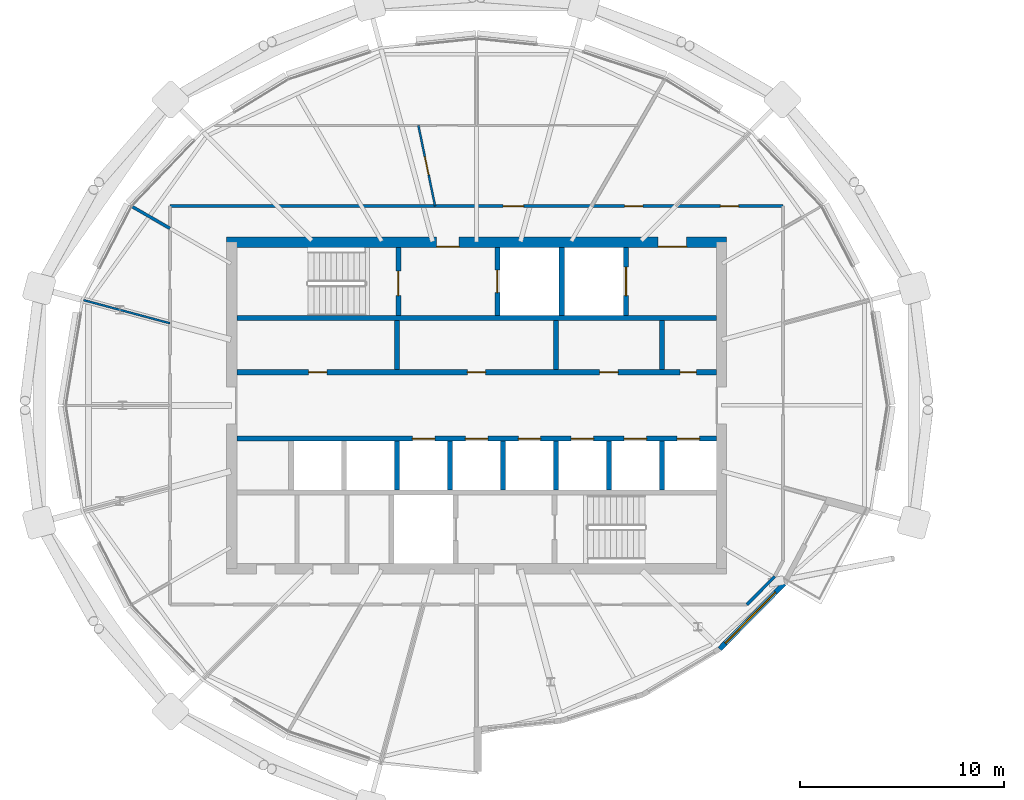
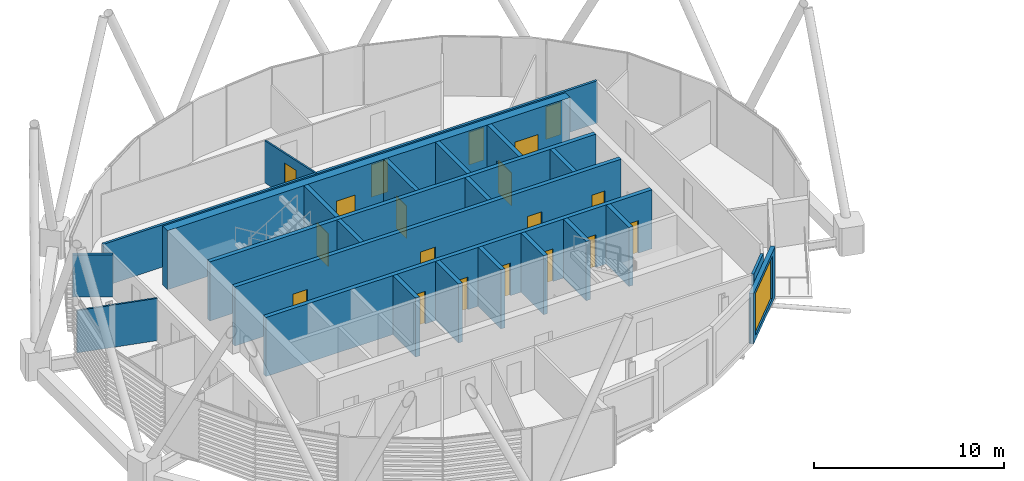
# One storey, part 19 of 31: 23 walls, 19 doors, 1 window, 20 openings.
"""IFC4 building model written with IfcOpenShell, lengths in metres."""

from ifc_helpers import new_model, si_unit, direction, frame, frame_2d, origin, place, context, subcontext, project, spatial, rectangle, extrude, material, layer, layer_set, type_object, element, fill, save


model = new_model("IFC4")

# Units and contexts
model_context = context("Model", 3, precision=1e-05, world=origin(), true_north=direction((0.0, 1.0)))
body_context = subcontext(model_context, "Body", "Model", "MODEL_VIEW")
ifc_project = project(units=[si_unit("LENGTHUNIT", "METRE"), si_unit("AREAUNIT", "SQUARE_METRE"), si_unit("VOLUMEUNIT", "CUBIC_METRE"), si_unit("PLANEANGLEUNIT", "RADIAN"), si_unit("MASSUNIT", "GRAM", prefix="KILO")], contexts=[model_context])

# Site, building, storey
site_placement = place(None, origin())
site = spatial("IfcSite", under=ifc_project, at=site_placement, CompositionType="ELEMENT")
building_placement = place(site_placement, origin())
building = spatial("IfcBuilding", under=site, at=building_placement, Name="Rimbun Link Towers", CompositionType="ELEMENT")
storey_placement = place(building_placement, frame((0.0, 0.0, 244.699951171875)))
storey = spatial("IfcBuildingStorey", under=building, at=storey_placement, Name="L60", CompositionType="ELEMENT", Elevation=244.699951171875)

# Wall, opening, window
ifc_material_1 = material(Name="Dark enamelled glass spandrel on insulated aluminium backpan", Category="aluminium")
ifc_layer_1 = layer(ifc_material_1, 0.25)
ifc_layer_set_1 = layer_set([ifc_layer_1], Name="CS dark enamelled spandrel wall 250")
wall_type_1 = type_object("IfcWallType", Name="CS dark enamelled spandrel wall 250", PredefinedType="STANDARD", material=ifc_layer_set_1)
wall_1_placement = place(storey_placement, frame((-16.668212890625, -8.723388671875, 0.0), z_axis=(0.0, 0.0, 1.0), x_axis=(-0.702165006789, -0.712014257751, 0.0)))
wall_1 = element("IfcWall", 1, at=wall_1_placement, inside=storey, type_object=wall_type_1, Name="Crease spandrel wall", PredefinedType="STANDARD", context=body_context, shape_type="SweptSolid", body=[
    extrude(rectangle(XDim=4.511474609375, YDim=0.25, at=frame_2d((2.255859375, 0.0))), origin(), (0.0, 0.0, 1.0), 3.24365234375),
])
opening_1_placement = place(wall_1_placement, frame((0.61767578125, 0.0, 0.300048828125)))
opening_1 = element("IfcOpeningElement", 2, at=opening_1_placement, cuts=wall_1, Name="Opening WR35H270", PredefinedType="OPENING", context=body_context, shape_type="SweptSolid", body=[
    extrude(rectangle(XDim=3.5, YDim=2.699951171875, at=frame_2d((1.75, 1.35009765625))), frame((0.0, 0.135009765625, 0.0), z_axis=(0.0, -1.0, 0.0), x_axis=(1.0, 0.0, 0.0)), (0.0, 0.0, 1.0), 0.27001953125),
])
ifc_material_2 = material(Name="Aluminium framed fixed window, dark tinted low-e glass", Category="aluminium")
window_type = type_object("IfcWindowType", Name="WR ribbon window 3500X2700", PartitioningType="SINGLE_PANEL", PredefinedType="WINDOW", material=ifc_material_2)
window_placement = place(opening_1_placement, origin())
window = element("IfcWindow", 3, at=window_placement, inside=storey, type_object=window_type, Name="Crease ribbon window", OverallHeight=2.699951171875, OverallWidth=3.5, PartitioningType="SINGLE_PANEL", PredefinedType="WINDOW", context=body_context, shape_type="SweptSolid", body=[
    extrude(rectangle(XDim=3.5, YDim=2.699951171875, at=frame_2d((1.75, 1.35009765625))), frame((0.0, 0.030029296875, 0.0), z_axis=(0.0, -1.0, 0.0), x_axis=(1.0, 0.0, 0.0)), (0.0, 0.0, 1.0), 0.06005859375),
])
fill(opening_1, window)

# Wall, openings, doors
ifc_material_3 = material(Name="Concrete C60/75", Category="concrete")
ifc_layer_2 = layer(ifc_material_3, 0.5)
ifc_layer_set_2 = layer_set([ifc_layer_2], Name="Core shear wall 500")
wall_type_2 = type_object("IfcWallType", Name="Core shear wall 500", PredefinedType="SHEAR", material=ifc_layer_set_2)
wall_2_placement = place(storey_placement, frame((-44.0, 8.0, 0.0), z_axis=(0.0, 0.0, 1.0), x_axis=(1.0, 0.0, 0.0)))
wall_2 = element("IfcWall", 4, at=wall_2_placement, inside=storey, type_object=wall_type_2, Name="L60 T1 core wall N", PredefinedType="SHEAR", context=body_context, shape_type="SweptSolid", body=[
    extrude(rectangle(XDim=24.5, YDim=0.5, at=frame_2d((12.25, 0.0))), origin(), (0.0, 0.0, 1.0), 3.800048828125),
])
opening_2_placement = place(wall_2_placement, frame((10.300048828125, 0.0, 0.0)))
opening_2 = element("IfcOpeningElement", 5, at=opening_2_placement, cuts=wall_2, Name="Opening C1DCF01N", PredefinedType="OPENING", context=body_context, shape_type="SweptSolid", body=[
    extrude(rectangle(XDim=1.10009765625, YDim=2.10009765625, at=frame_2d((0.550048828125, 1.050048828125))), frame((0.0, 0.260009765625, 0.0), z_axis=(0.0, -1.0, 0.0), x_axis=(1.0, 0.0, 0.0)), (0.0, 0.0, 1.0), 0.52001953125),
])
opening_3_placement = place(wall_2_placement, frame((21.14990234375, 0.0, 0.0)))
opening_3 = element("IfcOpeningElement", 6, at=opening_3_placement, cuts=wall_2, Name="Opening C1DSL02N", PredefinedType="OPENING", context=body_context, shape_type="SweptSolid", body=[
    extrude(rectangle(XDim=1.39990234375, YDim=2.10009765625, at=frame_2d((0.699951171875, 1.050048828125))), frame((0.0, 0.260009765625, 0.0), z_axis=(0.0, -1.0, 0.0), x_axis=(1.0, 0.0, 0.0)), (0.0, 0.0, 1.0), 0.52001953125),
])
ifc_material_4 = material(Name="Steel fire door set", Category="steel")
door_type_1 = type_object("IfcDoorType", Name="Core fire door single", OperationType="SINGLE_SWING_LEFT", PredefinedType="DOOR", material=ifc_material_4)
door_1_placement = place(opening_2_placement, origin())
door_1 = element("IfcDoor", 7, at=door_1_placement, inside=storey, type_object=door_type_1, Name="L60 T1 firefighting lobby n door", OperationType="SINGLE_SWING_LEFT", OverallHeight=2.10009765625, OverallWidth=1.10009765625, PredefinedType="DOOR", context=body_context, shape_type="SweptSolid", body=[
    extrude(rectangle(XDim=1.10009765625, YDim=2.10009765625, at=frame_2d((0.550048828125, 1.050048828125))), frame((0.0, -0.2001953125, 0.0), z_axis=(0.0, -1.0, 0.0), x_axis=(1.0, 0.0, 0.0)), (0.0, 0.0, 1.0), 0.050048828125),
])
fill(opening_2, door_1)
ifc_material_5 = material(Name="Steel fire door set", Category="steel")
door_type_2 = type_object("IfcDoorType", Name="Service lobby door double", OperationType="DOUBLE_DOOR_SINGLE_SWING", PredefinedType="DOOR", material=ifc_material_5)
door_2_placement = place(opening_3_placement, origin())
door_2 = element("IfcDoor", 8, at=door_2_placement, inside=storey, type_object=door_type_2, Name="L60 T1 service lobby door", OperationType="DOUBLE_DOOR_SINGLE_SWING", OverallHeight=2.10009765625, OverallWidth=1.39990234375, PredefinedType="DOOR", context=body_context, shape_type="SweptSolid", body=[
    extrude(rectangle(XDim=1.39990234375, YDim=2.10009765625, at=frame_2d((0.699951171875, 1.050048828125))), frame((0.0, -0.2001953125, 0.0), z_axis=(0.0, -1.0, 0.0), x_axis=(1.0, 0.0, 0.0)), (0.0, 0.0, 1.0), 0.050048828125),
])
fill(opening_3, door_2)

ifc_material_6 = material(Name="Plasterboard on steel stud, mineral wool", Category="steel")
ifc_layer_3 = layer(ifc_material_6, 0.14990234375)
ifc_layer_set_3 = layer_set([ifc_layer_3], Name="Corridor wall EI 30 150 mm")
wall_type_3 = type_object("IfcWallType", Name="Corridor wall EI 30 150 mm", PredefinedType="PARTITIONING", material=ifc_layer_set_3)
wall_3_placement = place(storey_placement, frame((-46.77490234375, 9.764892578125, 0.0), z_axis=(0.0, 0.0, 1.0), x_axis=(1.0, 0.0, 0.0)))
wall_3 = element("IfcWall", 9, at=wall_3_placement, inside=storey, type_object=wall_type_3, Name="Corridor wall EI 30 150 mm", PredefinedType="PARTITIONING", context=body_context, shape_type="SweptSolid", body=[
    extrude(rectangle(XDim=30.0498046875, YDim=0.14990234375, at=frame_2d((15.02490234375, 0.0))), origin(), (0.0, 0.0, 1.0), 2.72216796875),
])
opening_4_placement = place(wall_3_placement, frame((26.969970703125, 0.0, 0.0)))
opening_4 = element("IfcOpeningElement", 10, at=opening_4_placement, cuts=wall_3, Name="Opening D02", PredefinedType="OPENING", context=body_context, shape_type="SweptSolid", body=[
    extrude(rectangle(XDim=0.89990234375, YDim=2.10009765625, at=frame_2d((0.449951171875, 1.050048828125))), frame((0.0, 0.0849609375, 0.0), z_axis=(0.0, -1.0, 0.0), x_axis=(1.0, 0.0, 0.0)), (0.0, 0.0, 1.0), 0.169921875),
])
opening_5_placement = place(wall_3_placement, frame((22.2763671875, 0.0, 0.0)))
opening_5 = element("IfcOpeningElement", 11, at=opening_5_placement, cuts=wall_3, Name="Opening D02", PredefinedType="OPENING", context=body_context, shape_type="SweptSolid", body=[
    extrude(rectangle(XDim=0.89990234375, YDim=2.10009765625, at=frame_2d((0.449951171875, 1.050048828125))), frame((0.0, 0.0849609375, 0.0), z_axis=(0.0, -1.0, 0.0), x_axis=(1.0, 0.0, 0.0)), (0.0, 0.0, 1.0), 0.169921875),
])
opening_6_placement = place(wall_3_placement, frame((16.32958984375, 0.0, 0.0)))
opening_6 = element("IfcOpeningElement", 12, at=opening_6_placement, cuts=wall_3, Name="Opening D01", PredefinedType="OPENING", context=body_context, shape_type="SweptSolid", body=[
    extrude(rectangle(XDim=1.0, YDim=2.10009765625, at=frame_2d((0.5, 1.050048828125))), frame((0.0, 0.0849609375, 0.0), z_axis=(0.0, -1.0, 0.0), x_axis=(1.0, 0.0, 0.0)), (0.0, 0.0, 1.0), 0.169921875),
])
ifc_material_7 = material(Name="Fire-resisting timber door leaf", Category="wood")
door_type_3 = type_object("IfcDoorType", Name="Fire door FD30S 1000", OperationType="NOTDEFINED", PredefinedType="DOOR", material=ifc_material_7)
door_3_placement = place(opening_6_placement, origin())
door_3 = element("IfcDoor", 13, at=door_3_placement, inside=storey, type_object=door_type_3, Name="Fire door FD30S 1000 to Reception", OperationType="SINGLE_SWING_LEFT", OverallHeight=2.10009765625, OverallWidth=1.0, PredefinedType="DOOR", context=body_context, shape_type="SweptSolid", body=[
    extrude(rectangle(XDim=1.0, YDim=2.10009765625, at=frame_2d((0.5, 1.050048828125))), frame((0.0, 0.02490234375, 0.0), z_axis=(0.0, -1.0, 0.0), x_axis=(1.0, 0.0, 0.0)), (0.0, 0.0, 1.0), 0.050048828125),
])
fill(opening_6, door_3)
ifc_material_8 = material(Name="Fire-resisting timber door leaf", Category="wood")
door_type_4 = type_object("IfcDoorType", Name="Fire door FD30S 900", OperationType="NOTDEFINED", PredefinedType="DOOR", material=ifc_material_8)
door_4_placement = place(opening_4_placement, origin())
door_4 = element("IfcDoor", 14, at=door_4_placement, inside=storey, type_object=door_type_4, Name="Fire door FD30S 900 to Pantry", OperationType="SINGLE_SWING_LEFT", OverallHeight=2.10009765625, OverallWidth=0.89990234375, PredefinedType="DOOR", context=body_context, shape_type="SweptSolid", body=[
    extrude(rectangle(XDim=0.89990234375, YDim=2.10009765625, at=frame_2d((0.449951171875, 1.050048828125))), frame((0.0, 0.02490234375, 0.0), z_axis=(0.0, -1.0, 0.0), x_axis=(1.0, 0.0, 0.0)), (0.0, 0.0, 1.0), 0.050048828125),
])
fill(opening_4, door_4)
door_5_placement = place(opening_5_placement, origin())
door_5 = element("IfcDoor", 15, at=door_5_placement, inside=storey, type_object=door_type_4, Name="Fire door FD30S 900 to Boardroom", OperationType="SINGLE_SWING_RIGHT", OverallHeight=2.10009765625, OverallWidth=0.89990234375, PredefinedType="DOOR", context=body_context, shape_type="SweptSolid", body=[
    extrude(rectangle(XDim=0.89990234375, YDim=2.10009765625, at=frame_2d((0.449951171875, 1.050048828125))), frame((0.0, 0.02490234375, 0.0), z_axis=(0.0, -1.0, 0.0), x_axis=(1.0, 0.0, 0.0)), (0.0, 0.0, 1.0), 0.050048828125),
])
fill(opening_5, door_5)

# Wall
wall_4_placement = place(storey_placement, frame((-18.5029296875, -9.764892578125, 0.0), z_axis=(0.0, 0.0, 1.0), x_axis=(0.702133324826, 0.712045500069, 0.0)))
element("IfcWall", 16, at=wall_4_placement, inside=storey, type_object=wall_type_3, Name="Corridor wall EI 30 150 mm", PredefinedType="PARTITIONING", context=body_context, shape_type="SweptSolid", body=[
    extrude(rectangle(XDim=1.94580078125, YDim=0.14990234375, at=frame_2d((0.972900390625, 0.0))), origin(), (0.0, 0.0, 1.0), 2.72216796875),
])

# Wall, opening, door
ifc_material_9 = material(Name="Plasterboard on steel stud", Category="steel")
ifc_layer_4 = layer(ifc_material_9, 0.10009765625)
ifc_layer_set_4 = layer_set([ifc_layer_4], Name="Plasterboard partition 100 mm")
wall_type_4 = type_object("IfcWallType", Name="Plasterboard partition 100 mm", PredefinedType="PARTITIONING", material=ifc_layer_set_4)
wall_5_placement = place(storey_placement, frame((-33.77880859375, 9.764892578125, 0.0), z_axis=(0.0, 0.0, 1.0), x_axis=(-0.203411890202, 0.979093255479, 0.0)))
wall_5 = element("IfcWall", 17, at=wall_5_placement, inside=storey, type_object=wall_type_4, Name="Plasterboard partition 100 mm", PredefinedType="PARTITIONING", context=body_context, shape_type="SweptSolid", body=[
    extrude(rectangle(XDim=4.044677734375, YDim=0.10009765625, at=frame_2d((2.0224609375, 0.0))), origin(), (0.0, 0.0, 1.0), 2.72216796875),
])
opening_7_placement = place(wall_5_placement, frame((1.572265625, 0.0, 0.0)))
opening_7 = element("IfcOpeningElement", 18, at=opening_7_placement, cuts=wall_5, Name="Opening D04", PredefinedType="OPENING", context=body_context, shape_type="SweptSolid", body=[
    extrude(rectangle(XDim=0.89990234375, YDim=2.10009765625, at=frame_2d((0.449951171875, 1.050048828125))), frame((0.0, 0.06005859375, 0.0), z_axis=(0.0, -1.0, 0.0), x_axis=(1.0, 0.0, 0.0)), (0.0, 0.0, 1.0), 0.1201171875),
])
ifc_material_10 = material(Name="Timber door leaf", Category="wood")
door_type_5 = type_object("IfcDoorType", Name="Flush door 900", OperationType="NOTDEFINED", PredefinedType="DOOR", material=ifc_material_10)
door_6_placement = place(opening_7_placement, origin())
door_6 = element("IfcDoor", 19, at=door_6_placement, inside=storey, type_object=door_type_5, Name="Flush door 900 to Meeting room", OperationType="SINGLE_SWING_LEFT", OverallHeight=2.10009765625, OverallWidth=0.89990234375, PredefinedType="DOOR", context=body_context, shape_type="SweptSolid", body=[
    extrude(rectangle(XDim=0.89990234375, YDim=2.10009765625, at=frame_2d((0.449951171875, 1.050048828125))), frame((0.0, 0.02490234375, 0.0), z_axis=(0.0, -1.0, 0.0), x_axis=(1.0, 0.0, 0.0)), (0.0, 0.0, 1.0), 0.050048828125),
])
fill(opening_7, door_6)

# Walls
wall_6_placement = place(storey_placement, frame((-51.009033203125, 5.160400390625, 0.0), z_axis=(0.0, 0.0, 1.0), x_axis=(0.965926422845, -0.258816818714, 0.0)))
element("IfcWall", 20, at=wall_6_placement, inside=storey, type_object=wall_type_4, Name="Plasterboard partition 100 mm", PredefinedType="PARTITIONING", context=body_context, shape_type="SweptSolid", body=[
    extrude(rectangle(XDim=4.383544921875, YDim=0.10009765625, at=frame_2d((2.19189453125, 0.0))), origin(), (0.0, 0.0, 1.0), 2.72216796875),
])
ifc_material_11 = material(Name="Concrete C60/75", Category="concrete")
ifc_layer_5 = layer(ifc_material_11, 0.25)
ifc_layer_set_5 = layer_set([ifc_layer_5], Name="Shaft wall 250")
wall_type_5 = type_object("IfcWallType", Name="Shaft wall 250", PredefinedType="SHEAR", material=ifc_layer_set_5)
wall_7_placement = place(storey_placement, frame((-43.5, 4.27490234375, 0.0), z_axis=(0.0, 0.0, 1.0), x_axis=(1.0, 0.0, 0.0)))
element("IfcWall", 21, at=wall_7_placement, inside=storey, type_object=wall_type_5, Name="L60 T1 core wall BN", PredefinedType="SHEAR", context=body_context, shape_type="SweptSolid", body=[
    extrude(rectangle(XDim=23.5, YDim=0.25, at=frame_2d((11.75, 0.0))), origin(), (0.0, 0.0, 1.0), 3.800048828125),
])

# Wall, openings, doors
wall_8_placement = place(storey_placement, frame((-43.5, 1.625, 0.0), z_axis=(0.0, 0.0, 1.0), x_axis=(1.0, 0.0, 0.0)))
wall_8 = element("IfcWall", 22, at=wall_8_placement, inside=storey, type_object=wall_type_5, Name="L60 T1 core wall FN", PredefinedType="SHEAR", context=body_context, shape_type="SweptSolid", body=[
    extrude(rectangle(XDim=23.5, YDim=0.25, at=frame_2d((11.75, 0.0))), origin(), (0.0, 0.0, 1.0), 3.800048828125),
])
opening_8_placement = place(wall_8_placement, frame((3.5166015625, 0.0, 0.0)))
opening_8 = element("IfcOpeningElement", 23, at=opening_8_placement, cuts=wall_8, Name="Opening C1DRS01FN", PredefinedType="OPENING", context=body_context, shape_type="SweptSolid", body=[
    extrude(rectangle(XDim=0.89990234375, YDim=2.10009765625, at=frame_2d((0.449951171875, 1.050048828125))), frame((0.0, 0.135009765625, 0.0), z_axis=(0.0, -1.0, 0.0), x_axis=(1.0, 0.0, 0.0)), (0.0, 0.0, 1.0), 0.27001953125),
])
opening_9_placement = place(wall_8_placement, frame((11.300048828125, 0.0, 0.0)))
opening_9 = element("IfcOpeningElement", 24, at=opening_9_placement, cuts=wall_8, Name="Opening C1DRS02FN", PredefinedType="OPENING", context=body_context, shape_type="SweptSolid", body=[
    extrude(rectangle(XDim=0.89990234375, YDim=2.10009765625, at=frame_2d((0.449951171875, 1.050048828125))), frame((0.0, 0.135009765625, 0.0), z_axis=(0.0, -1.0, 0.0), x_axis=(1.0, 0.0, 0.0)), (0.0, 0.0, 1.0), 0.27001953125),
])
opening_10_placement = place(wall_8_placement, frame((17.7861328125, 0.0, 0.0)))
opening_10 = element("IfcOpeningElement", 25, at=opening_10_placement, cuts=wall_8, Name="Opening C1DRS03FN", PredefinedType="OPENING", context=body_context, shape_type="SweptSolid", body=[
    extrude(rectangle(XDim=0.89990234375, YDim=2.10009765625, at=frame_2d((0.449951171875, 1.050048828125))), frame((0.0, 0.135009765625, 0.0), z_axis=(0.0, -1.0, 0.0), x_axis=(1.0, 0.0, 0.0)), (0.0, 0.0, 1.0), 0.27001953125),
])
opening_11_placement = place(wall_8_placement, frame((21.727783203125, 0.0, 0.0)))
opening_11 = element("IfcOpeningElement", 26, at=opening_11_placement, cuts=wall_8, Name="Opening C1DRA04FN", PredefinedType="OPENING", context=body_context, shape_type="SweptSolid", body=[
    extrude(rectangle(XDim=0.800048828125, YDim=2.10009765625, at=frame_2d((0.39990234375, 1.050048828125))), frame((0.0, 0.135009765625, 0.0), z_axis=(0.0, -1.0, 0.0), x_axis=(1.0, 0.0, 0.0)), (0.0, 0.0, 1.0), 0.27001953125),
])
ifc_material_12 = material(Name="Steel fire door set", Category="steel")
door_type_6 = type_object("IfcDoorType", Name="Core riser door", OperationType="SINGLE_SWING_LEFT", PredefinedType="DOOR", material=ifc_material_12)
door_7_placement = place(opening_8_placement, origin())
door_7 = element("IfcDoor", 27, at=door_7_placement, inside=storey, type_object=door_type_6, Name="L60 T1 plant room door", OperationType="SINGLE_SWING_RIGHT", OverallHeight=2.10009765625, OverallWidth=0.89990234375, PredefinedType="DOOR", context=body_context, shape_type="SweptSolid", body=[
    extrude(rectangle(XDim=0.89990234375, YDim=2.10009765625, at=frame_2d((0.449951171875, 1.050048828125))), frame((0.0, 0.02490234375, 0.0), z_axis=(0.0, -1.0, 0.0), x_axis=(1.0, 0.0, 0.0)), (0.0, 0.0, 1.0), 0.050048828125),
])
fill(opening_8, door_7)
door_8_placement = place(opening_9_placement, origin())
door_8 = element("IfcDoor", 28, at=door_8_placement, inside=storey, type_object=door_type_6, Name="L60 T1 wellness room door", OperationType="SINGLE_SWING_LEFT", OverallHeight=2.10009765625, OverallWidth=0.89990234375, PredefinedType="DOOR", context=body_context, shape_type="SweptSolid", body=[
    extrude(rectangle(XDim=0.89990234375, YDim=2.10009765625, at=frame_2d((0.449951171875, 1.050048828125))), frame((0.0, 0.02490234375, 0.0), z_axis=(0.0, -1.0, 0.0), x_axis=(1.0, 0.0, 0.0)), (0.0, 0.0, 1.0), 0.050048828125),
])
fill(opening_9, door_8)
door_9_placement = place(opening_10_placement, origin())
door_9 = element("IfcDoor", 29, at=door_9_placement, inside=storey, type_object=door_type_6, Name="L60 T1 pantry door", OperationType="SINGLE_SWING_LEFT", OverallHeight=2.10009765625, OverallWidth=0.89990234375, PredefinedType="DOOR", context=body_context, shape_type="SweptSolid", body=[
    extrude(rectangle(XDim=0.89990234375, YDim=2.10009765625, at=frame_2d((0.449951171875, 1.050048828125))), frame((0.0, 0.02490234375, 0.0), z_axis=(0.0, -1.0, 0.0), x_axis=(1.0, 0.0, 0.0)), (0.0, 0.0, 1.0), 0.050048828125),
])
fill(opening_10, door_9)
ifc_material_13 = material(Name="Steel fire door set", Category="steel")
door_type_7 = type_object("IfcDoorType", Name="Riser access door 800 x 2100", OperationType="SINGLE_SWING_LEFT", PredefinedType="DOOR", material=ifc_material_13)
door_10_placement = place(opening_11_placement, origin())
door_10 = element("IfcDoor", 30, at=door_10_placement, inside=storey, type_object=door_type_7, Name="L60 T1 riser cupboard door", OperationType="SINGLE_SWING_LEFT", OverallHeight=2.10009765625, OverallWidth=0.800048828125, PredefinedType="DOOR", context=body_context, shape_type="SweptSolid", body=[
    extrude(rectangle(XDim=0.800048828125, YDim=2.10009765625, at=frame_2d((0.39990234375, 1.050048828125))), frame((0.0, 0.02490234375, 0.0), z_axis=(0.0, -1.0, 0.0), x_axis=(1.0, 0.0, 0.0)), (0.0, 0.0, 1.0), 0.050048828125),
])
fill(opening_11, door_10)

wall_9_placement = place(storey_placement, frame((-43.5, -1.625, 0.0), z_axis=(0.0, 0.0, 1.0), x_axis=(1.0, 0.0, 0.0)))
wall_9 = element("IfcWall", 31, at=wall_9_placement, inside=storey, type_object=wall_type_5, Name="L60 T1 core wall FS", PredefinedType="SHEAR", context=body_context, shape_type="SweptSolid", body=[
    extrude(rectangle(XDim=23.5, YDim=0.25, at=frame_2d((11.75, 0.0))), origin(), (0.0, 0.0, 1.0), 3.800048828125),
])
opening_12_placement = place(wall_9_placement, frame((8.605712890625, 0.0, 0.0)))
opening_12 = element("IfcOpeningElement", 32, at=opening_12_placement, cuts=wall_9, Name="Opening LD-T1-HR1", PredefinedType="OPENING", context=body_context, shape_type="SweptSolid", body=[
    extrude(rectangle(XDim=1.10009765625, YDim=2.10009765625, at=frame_2d((0.550048828125, 1.050048828125))), frame((0.0, 0.135009765625, 0.0), z_axis=(0.0, -1.0, 0.0), x_axis=(1.0, 0.0, 0.0)), (0.0, 0.0, 1.0), 0.27001953125),
])
opening_13_placement = place(wall_9_placement, frame((11.199951171875, 0.0, 0.0)))
opening_13 = element("IfcOpeningElement", 33, at=opening_13_placement, cuts=wall_9, Name="Opening LD-T1-HR2", PredefinedType="OPENING", context=body_context, shape_type="SweptSolid", body=[
    extrude(rectangle(XDim=1.10009765625, YDim=2.10009765625, at=frame_2d((0.550048828125, 1.050048828125))), frame((0.0, 0.135009765625, 0.0), z_axis=(0.0, -1.0, 0.0), x_axis=(1.0, 0.0, 0.0)), (0.0, 0.0, 1.0), 0.27001953125),
])
opening_14_placement = place(wall_9_placement, frame((13.79443359375, 0.0, 0.0)))
opening_14 = element("IfcOpeningElement", 34, at=opening_14_placement, cuts=wall_9, Name="Opening LD-T1-HR3", PredefinedType="OPENING", context=body_context, shape_type="SweptSolid", body=[
    extrude(rectangle(XDim=1.10009765625, YDim=2.10009765625, at=frame_2d((0.550048828125, 1.050048828125))), frame((0.0, 0.135009765625, 0.0), z_axis=(0.0, -1.0, 0.0), x_axis=(1.0, 0.0, 0.0)), (0.0, 0.0, 1.0), 0.27001953125),
])
opening_15_placement = place(wall_9_placement, frame((16.388916015625, 0.0, 0.0)))
opening_15 = element("IfcOpeningElement", 35, at=opening_15_placement, cuts=wall_9, Name="Opening LD-T1-HR4", PredefinedType="OPENING", context=body_context, shape_type="SweptSolid", body=[
    extrude(rectangle(XDim=1.10009765625, YDim=2.10009765625, at=frame_2d((0.550048828125, 1.050048828125))), frame((0.0, 0.135009765625, 0.0), z_axis=(0.0, -1.0, 0.0), x_axis=(1.0, 0.0, 0.0)), (0.0, 0.0, 1.0), 0.27001953125),
])
opening_16_placement = place(wall_9_placement, frame((18.9833984375, 0.0, 0.0)))
opening_16 = element("IfcOpeningElement", 36, at=opening_16_placement, cuts=wall_9, Name="Opening LD-T1-HR5", PredefinedType="OPENING", context=body_context, shape_type="SweptSolid", body=[
    extrude(rectangle(XDim=1.10009765625, YDim=2.10009765625, at=frame_2d((0.550048828125, 1.050048828125))), frame((0.0, 0.135009765625, 0.0), z_axis=(0.0, -1.0, 0.0), x_axis=(1.0, 0.0, 0.0)), (0.0, 0.0, 1.0), 0.27001953125),
])
opening_17_placement = place(wall_9_placement, frame((21.577880859375, 0.0, 0.0)))
opening_17 = element("IfcOpeningElement", 37, at=opening_17_placement, cuts=wall_9, Name="Opening LD-T1-HR6", PredefinedType="OPENING", context=body_context, shape_type="SweptSolid", body=[
    extrude(rectangle(XDim=1.10009765625, YDim=2.10009765625, at=frame_2d((0.550048828125, 1.050048828125))), frame((0.0, 0.135009765625, 0.0), z_axis=(0.0, -1.0, 0.0), x_axis=(1.0, 0.0, 0.0)), (0.0, 0.0, 1.0), 0.27001953125),
])
ifc_material_14 = material(Name="Stainless steel grade 316", Category="steel")
door_type_8 = type_object("IfcDoorType", Name="Lift landing door", OperationType="DOUBLE_DOOR_SLIDING", PredefinedType="DOOR", material=ifc_material_14)
door_11_placement = place(opening_12_placement, origin())
door_11 = element("IfcDoor", 38, at=door_11_placement, inside=storey, type_object=door_type_8, Name="L60 T1 lift HR1 landing door", OperationType="DOUBLE_DOOR_SLIDING", OverallHeight=2.10009765625, OverallWidth=1.10009765625, PredefinedType="DOOR", context=body_context, shape_type="SweptSolid", body=[
    extrude(rectangle(XDim=1.10009765625, YDim=2.10009765625, at=frame_2d((0.550048828125, 1.050048828125))), frame((0.0, 0.02490234375, 0.0), z_axis=(0.0, -1.0, 0.0), x_axis=(1.0, 0.0, 0.0)), (0.0, 0.0, 1.0), 0.050048828125),
])
fill(opening_12, door_11)
door_12_placement = place(opening_13_placement, origin())
door_12 = element("IfcDoor", 39, at=door_12_placement, inside=storey, type_object=door_type_8, Name="L60 T1 lift HR2 landing door", OperationType="DOUBLE_DOOR_SLIDING", OverallHeight=2.10009765625, OverallWidth=1.10009765625, PredefinedType="DOOR", context=body_context, shape_type="SweptSolid", body=[
    extrude(rectangle(XDim=1.10009765625, YDim=2.10009765625, at=frame_2d((0.550048828125, 1.050048828125))), frame((0.0, 0.02490234375, 0.0), z_axis=(0.0, -1.0, 0.0), x_axis=(1.0, 0.0, 0.0)), (0.0, 0.0, 1.0), 0.050048828125),
])
fill(opening_13, door_12)
door_13_placement = place(opening_14_placement, origin())
door_13 = element("IfcDoor", 40, at=door_13_placement, inside=storey, type_object=door_type_8, Name="L60 T1 lift HR3 landing door", OperationType="DOUBLE_DOOR_SLIDING", OverallHeight=2.10009765625, OverallWidth=1.10009765625, PredefinedType="DOOR", context=body_context, shape_type="SweptSolid", body=[
    extrude(rectangle(XDim=1.10009765625, YDim=2.10009765625, at=frame_2d((0.550048828125, 1.050048828125))), frame((0.0, 0.02490234375, 0.0), z_axis=(0.0, -1.0, 0.0), x_axis=(1.0, 0.0, 0.0)), (0.0, 0.0, 1.0), 0.050048828125),
])
fill(opening_14, door_13)
door_14_placement = place(opening_15_placement, origin())
door_14 = element("IfcDoor", 41, at=door_14_placement, inside=storey, type_object=door_type_8, Name="L60 T1 lift HR4 landing door", OperationType="DOUBLE_DOOR_SLIDING", OverallHeight=2.10009765625, OverallWidth=1.10009765625, PredefinedType="DOOR", context=body_context, shape_type="SweptSolid", body=[
    extrude(rectangle(XDim=1.10009765625, YDim=2.10009765625, at=frame_2d((0.550048828125, 1.050048828125))), frame((0.0, 0.02490234375, 0.0), z_axis=(0.0, -1.0, 0.0), x_axis=(1.0, 0.0, 0.0)), (0.0, 0.0, 1.0), 0.050048828125),
])
fill(opening_15, door_14)
door_15_placement = place(opening_16_placement, origin())
door_15 = element("IfcDoor", 42, at=door_15_placement, inside=storey, type_object=door_type_8, Name="L60 T1 lift HR5 landing door", OperationType="DOUBLE_DOOR_SLIDING", OverallHeight=2.10009765625, OverallWidth=1.10009765625, PredefinedType="DOOR", context=body_context, shape_type="SweptSolid", body=[
    extrude(rectangle(XDim=1.10009765625, YDim=2.10009765625, at=frame_2d((0.550048828125, 1.050048828125))), frame((0.0, 0.02490234375, 0.0), z_axis=(0.0, -1.0, 0.0), x_axis=(1.0, 0.0, 0.0)), (0.0, 0.0, 1.0), 0.050048828125),
])
fill(opening_16, door_15)
door_16_placement = place(opening_17_placement, origin())
door_16 = element("IfcDoor", 43, at=door_16_placement, inside=storey, type_object=door_type_8, Name="L60 T1 lift HR6 landing door", OperationType="DOUBLE_DOOR_SLIDING", OverallHeight=2.10009765625, OverallWidth=1.10009765625, PredefinedType="DOOR", context=body_context, shape_type="SweptSolid", body=[
    extrude(rectangle(XDim=1.10009765625, YDim=2.10009765625, at=frame_2d((0.550048828125, 1.050048828125))), frame((0.0, 0.02490234375, 0.0), z_axis=(0.0, -1.0, 0.0), x_axis=(1.0, 0.0, 0.0)), (0.0, 0.0, 1.0), 0.050048828125),
])
fill(opening_17, door_16)

# Walls
for number, where, z_axis, x_axis, name in (
    (44, (-35.6416015625, 1.75, 0.0), (0.0, 0.0, 1.0), (0.0, 1.0, 0.0), "L60 T1 core wall DN2"),
    (45, (-27.8583984375, 1.75, 0.0), (0.0, 0.0, 1.0), (0.0, 1.0, 0.0), "L60 T1 core wall DN5"),
    (46, (-22.66943359375, 1.75, 0.0), (0.0, 0.0, 1.0), (0.0, 1.0, 0.0), "L60 T1 core wall DN7"),
    (47, (-35.6416015625, -4.14990234375, 0.0), (0.0, 0.0, 1.0), (0.0, 1.0, 0.0), "L60 T1 core wall DS2"),
    (48, (-33.047119140625, -4.14990234375, 0.0), (0.0, 0.0, 1.0), (0.0, 1.0, 0.0), "L60 T1 core wall DS3"),
    (49, (-30.452880859375, -4.14990234375, 0.0), (0.0, 0.0, 1.0), (0.0, 1.0, 0.0), "L60 T1 core wall DS4"),
    (50, (-27.8583984375, -4.14990234375, 0.0), (0.0, 0.0, 1.0), (0.0, 1.0, 0.0), "L60 T1 core wall DS5"),
    (51, (-25.263916015625, -4.14990234375, 0.0), (0.0, 0.0, 1.0), (0.0, 1.0, 0.0), "L60 T1 core wall DS6"),
    (52, (-22.66943359375, -4.14990234375, 0.0), (0.0, 0.0, 1.0), (0.0, 1.0, 0.0), "L60 T1 core wall DS7"),
):
    element("IfcWall", number, at=place(storey_placement, frame(where, z_axis=z_axis, x_axis=x_axis)), inside=storey, type_object=wall_type_5, Name=name, PredefinedType="SHEAR", context=body_context, shape_type="SweptSolid", body=[
        extrude(rectangle(XDim=2.39990234375, YDim=0.25, at=frame_2d((1.199951171875, 0.0))), origin(), (0.0, 0.0, 1.0), 3.800048828125),
    ])

# Wall, opening, door
wall_10_placement = place(storey_placement, frame((-35.574951171875, 4.39990234375, 0.0), z_axis=(0.0, 0.0, 1.0), x_axis=(0.0, 1.0, 0.0)))
wall_10 = element("IfcWall", 53, at=wall_10_placement, inside=storey, type_object=wall_type_5, Name="L60 T1 core wall A1", PredefinedType="SHEAR", context=body_context, shape_type="SweptSolid", body=[
    extrude(rectangle(XDim=3.35009765625, YDim=0.25, at=frame_2d((1.675048828125, 0.0))), origin(), (0.0, 0.0, 1.0), 3.800048828125),
])
opening_18_placement = place(wall_10_placement, frame((0.97509765625, 0.0, 0.0)))
opening_18 = element("IfcOpeningElement", 54, at=opening_18_placement, cuts=wall_10, Name="Opening C1DST01A1", PredefinedType="OPENING", context=body_context, shape_type="SweptSolid", body=[
    extrude(rectangle(XDim=1.199951171875, YDim=2.10009765625, at=frame_2d((0.60009765625, 1.050048828125))), frame((0.0, 0.135009765625, 0.0), z_axis=(0.0, -1.0, 0.0), x_axis=(1.0, 0.0, 0.0)), (0.0, 0.0, 1.0), 0.27001953125),
])
ifc_material_15 = material(Name="Steel fire door set", Category="steel")
door_type_9 = type_object("IfcDoorType", Name="Stair door", OperationType="SINGLE_SWING_LEFT", PredefinedType="DOOR", material=ifc_material_15)
door_17_placement = place(opening_18_placement, origin())
door_17 = element("IfcDoor", 55, at=door_17_placement, inside=storey, type_object=door_type_9, Name="L60 T1 stair a door", OperationType="SINGLE_SWING_LEFT", OverallHeight=2.10009765625, OverallWidth=1.199951171875, PredefinedType="DOOR", context=body_context, shape_type="SweptSolid", body=[
    extrude(rectangle(XDim=1.199951171875, YDim=2.10009765625, at=frame_2d((0.60009765625, 1.050048828125))), frame((0.0, 0.02490234375, 0.0), z_axis=(0.0, -1.0, 0.0), x_axis=(1.0, 0.0, 0.0)), (0.0, 0.0, 1.0), 0.050048828125),
])
fill(opening_18, door_17)

wall_11_placement = place(storey_placement, frame((-30.72509765625, 4.39990234375, 0.0), z_axis=(0.0, 0.0, 1.0), x_axis=(0.0, 1.0, 0.0)))
wall_11 = element("IfcWall", 56, at=wall_11_placement, inside=storey, type_object=wall_type_5, Name="L60 T1 core wall A2", PredefinedType="SHEAR", context=body_context, shape_type="SweptSolid", body=[
    extrude(rectangle(XDim=3.35009765625, YDim=0.25, at=frame_2d((1.675048828125, 0.0))), origin(), (0.0, 0.0, 1.0), 3.800048828125),
])
opening_19_placement = place(wall_11_placement, frame((1.125, 0.0, 0.0)))
opening_19 = element("IfcOpeningElement", 57, at=opening_19_placement, cuts=wall_11, Name="Opening LD-T1-FF1", PredefinedType="OPENING", context=body_context, shape_type="SweptSolid", body=[
    extrude(rectangle(XDim=1.10009765625, YDim=2.10009765625, at=frame_2d((0.550048828125, 1.050048828125))), frame((0.0, 0.135009765625, 0.0), z_axis=(0.0, -1.0, 0.0), x_axis=(1.0, 0.0, 0.0)), (0.0, 0.0, 1.0), 0.27001953125),
])
door_18_placement = place(opening_19_placement, origin())
door_18 = element("IfcDoor", 58, at=door_18_placement, inside=storey, type_object=door_type_8, Name="L60 T1 lift FF1 landing door", OperationType="DOUBLE_DOOR_SLIDING", OverallHeight=2.10009765625, OverallWidth=1.10009765625, PredefinedType="DOOR", context=body_context, shape_type="SweptSolid", body=[
    extrude(rectangle(XDim=1.10009765625, YDim=2.10009765625, at=frame_2d((0.550048828125, 1.050048828125))), frame((0.0, 0.02490234375, 0.0), z_axis=(0.0, -1.0, 0.0), x_axis=(1.0, 0.0, 0.0)), (0.0, 0.0, 1.0), 0.050048828125),
])
fill(opening_19, door_18)

# Wall
wall_12_placement = place(storey_placement, frame((-27.574951171875, 4.39990234375, 0.0), z_axis=(0.0, 0.0, 1.0), x_axis=(0.0, 1.0, 0.0)))
element("IfcWall", 59, at=wall_12_placement, inside=storey, type_object=wall_type_5, Name="L60 T1 core wall A3", PredefinedType="SHEAR", context=body_context, shape_type="SweptSolid", body=[
    extrude(rectangle(XDim=3.35009765625, YDim=0.25, at=frame_2d((1.675048828125, 0.0))), origin(), (0.0, 0.0, 1.0), 3.800048828125),
])

# Wall, opening, door
wall_13_placement = place(storey_placement, frame((-24.425048828125, 4.39990234375, 0.0), z_axis=(0.0, 0.0, 1.0), x_axis=(0.0, 1.0, 0.0)))
wall_13 = element("IfcWall", 60, at=wall_13_placement, inside=storey, type_object=wall_type_5, Name="L60 T1 core wall A4", PredefinedType="SHEAR", context=body_context, shape_type="SweptSolid", body=[
    extrude(rectangle(XDim=3.35009765625, YDim=0.25, at=frame_2d((1.675048828125, 0.0))), origin(), (0.0, 0.0, 1.0), 3.800048828125),
])
opening_20_placement = place(wall_13_placement, frame((0.97509765625, 0.0, 0.0)))
opening_20 = element("IfcOpeningElement", 61, at=opening_20_placement, cuts=wall_13, Name="Opening LD-T1-GL1", PredefinedType="OPENING", context=body_context, shape_type="SweptSolid", body=[
    extrude(rectangle(XDim=1.39990234375, YDim=2.10009765625, at=frame_2d((0.699951171875, 1.050048828125))), frame((0.0, 0.135009765625, 0.0), z_axis=(0.0, -1.0, 0.0), x_axis=(1.0, 0.0, 0.0)), (0.0, 0.0, 1.0), 0.27001953125),
])
ifc_material_16 = material(Name="Stainless steel grade 316", Category="steel")
door_type_10 = type_object("IfcDoorType", Name="Goods lift landing door", OperationType="DOUBLE_DOOR_SLIDING", PredefinedType="DOOR", material=ifc_material_16)
door_19_placement = place(opening_20_placement, origin())
door_19 = element("IfcDoor", 62, at=door_19_placement, inside=storey, type_object=door_type_10, Name="L60 T1 lift GL1 landing door", OperationType="DOUBLE_DOOR_SLIDING", OverallHeight=2.10009765625, OverallWidth=1.39990234375, PredefinedType="DOOR", context=body_context, shape_type="SweptSolid", body=[
    extrude(rectangle(XDim=1.39990234375, YDim=2.10009765625, at=frame_2d((0.699951171875, 1.050048828125))), frame((0.0, 0.02490234375, 0.0), z_axis=(0.0, -1.0, 0.0), x_axis=(1.0, 0.0, 0.0)), (0.0, 0.0, 1.0), 0.050048828125),
])
fill(opening_20, door_19)

# Wall
ifc_material_17 = material(Name="Plasterboard on steel stud, mineral wool", Category="steel")
ifc_layer_6 = layer(ifc_material_17, 0.14990234375)
ifc_layer_set_6 = layer_set([ifc_layer_6], Name="Tenancy separation wall EI 60 150 mm")
wall_type_6 = type_object("IfcWallType", Name="Tenancy separation wall EI 60 150 mm", PredefinedType="PARTITIONING", material=ifc_layer_set_6)
wall_14_placement = place(storey_placement, frame((-46.77490234375, 8.6748046875, 0.0), z_axis=(0.0, 0.0, 1.0), x_axis=(-0.866066338354, 0.499929092542, 0.0)))
element("IfcWall", 63, at=wall_14_placement, inside=storey, type_object=wall_type_6, Name="Tenancy separation wall EI 60 150 mm", PredefinedType="PARTITIONING", context=body_context, shape_type="SweptSolid", body=[
    extrude(rectangle(XDim=2.147705078125, YDim=0.14990234375, at=frame_2d((1.07373046875, 0.0))), origin(), (0.0, 0.0, 1.0), 2.72216796875),
])

save(model, "model.ifc")
